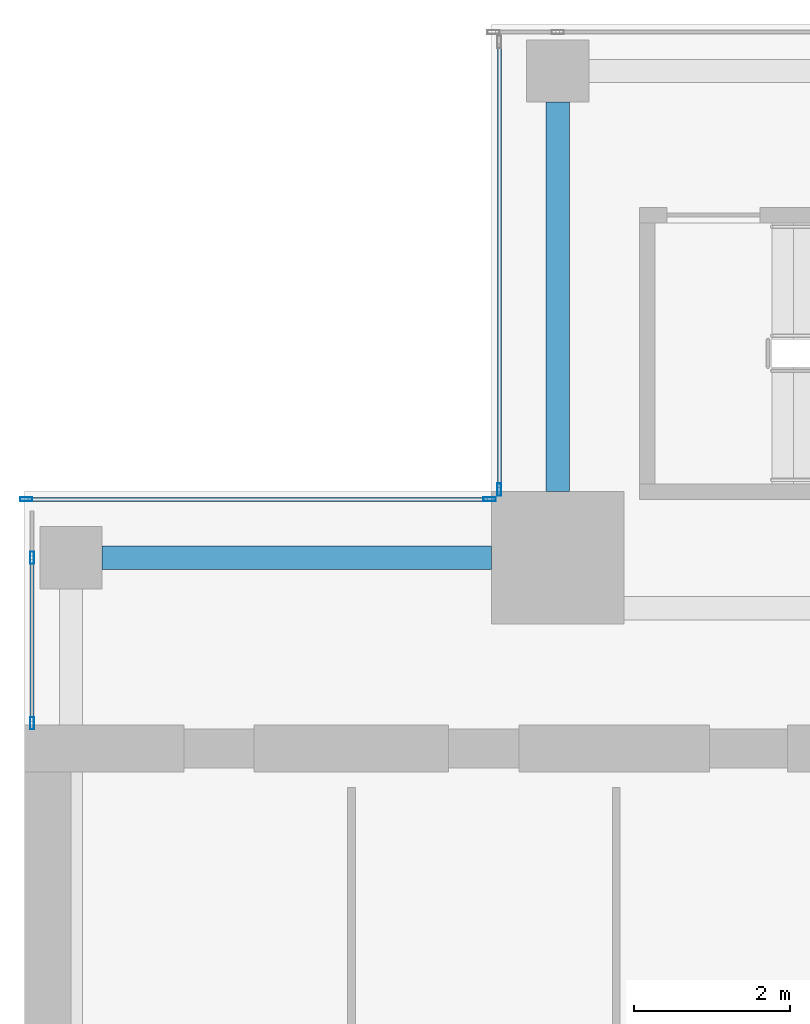
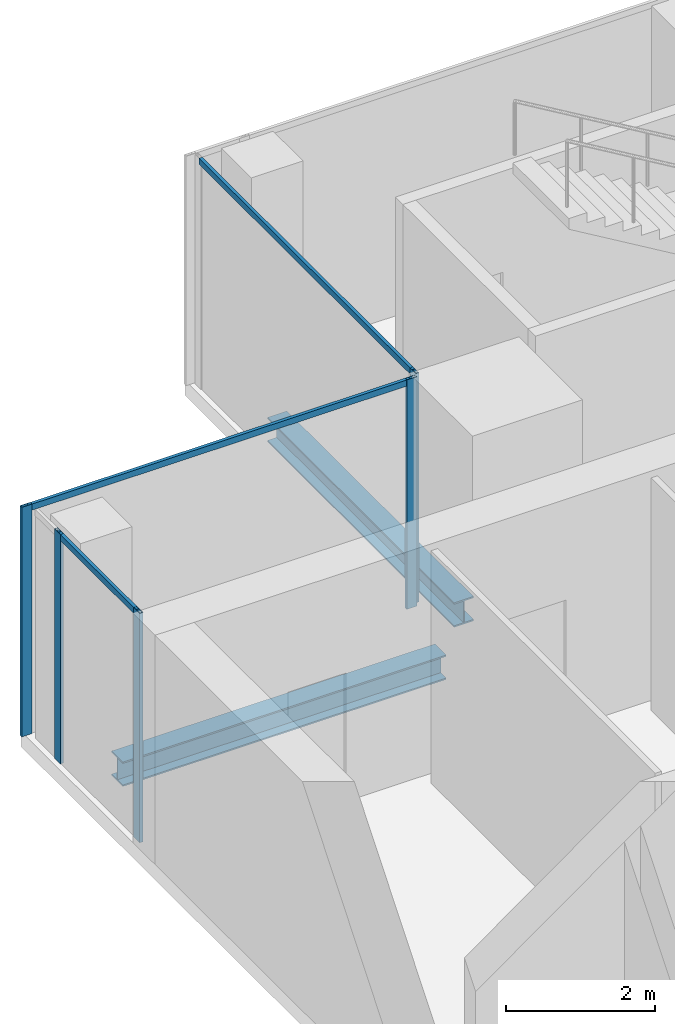
# One storey, part 14 of 29: 8 members, 2 beams, 3 elements without a shape of their own.
"""IFC4 building model written with IfcOpenShell, lengths in metres."""

import ifcopenshell
import ifcopenshell.guid

model = None  # the IFC model being written
_history = None  # IfcOwnerHistory: only IFC2X3 demands one
_inside = {}  # id of a spatial element -> (the spatial element, [elements in it])
_under = {}  # id of a project, library or spatial element -> (it, [spatial elements below it])
_declared = {}  # id of a project -> (the project, [libraries it declares])
_typed = {}  # id of a type object -> (the type object, [elements of that type])
_made_of = {}  # id of a material, layer set ... -> (it, [elements and type objects made of it])


def new_model(schema):
    """Start an empty IFC model of exactly this schema.

    Asked for "IFC4X3", IfcOpenShell would pick the latest addendum, in which some entities
    have other attributes; the version numbers below select the first issue.
    IFC2X3 requires an IfcOwnerHistory on every rooted entity: one is made here for all.
    """
    global model, _history
    if schema == "IFC4X3":
        model = ifcopenshell.file(schema_version=(4, 3, 0, 0))
    else:
        model = ifcopenshell.file(schema=schema)
    _inside.clear()
    _under.clear()
    _declared.clear()
    _typed.clear()
    _made_of.clear()
    _history = None
    if model.schema == "IFC2X3":
        org = make("IfcOrganization", Name="unknown")
        user = make(
            "IfcPersonAndOrganization",
            ThePerson=make("IfcPerson", FamilyName="unknown"),
            TheOrganization=org,
        )
        app = make(
            "IfcApplication",
            ApplicationDeveloper=org,
            Version="unknown",
            ApplicationFullName="unknown",
            ApplicationIdentifier="unknown",
        )
        _history = make(
            "IfcOwnerHistory",
            OwningUser=user,
            OwningApplication=app,
            ChangeAction="ADDED",
            CreationDate=0,
        )
    return model


def make(cls, **values):
    """One entity of the class cls with the attributes given. An attribute that is None is left unset."""
    return model.create_entity(
        cls, **{name: value for name, value in values.items() if value is not None}
    )


def rooted(cls, **values):
    """An entity with a GlobalId (a new one), such as an element, a storey or a relation."""
    return make(cls, GlobalId=ifcopenshell.guid.new(), OwnerHistory=_history, **values)


def si_unit(unit_type, name, prefix=None):
    """IfcSIUnit, for example si_unit("LENGTHUNIT", "METRE", prefix="MILLI")."""
    return make("IfcSIUnit", UnitType=unit_type, Prefix=prefix, Name=name)


def assignment(units):
    """IfcUnitAssignment: the units of a project."""
    return None if units is None else make("IfcUnitAssignment", Units=units)


def point(xyz):
    """IfcCartesianPoint."""
    return None if xyz is None else make("IfcCartesianPoint", Coordinates=xyz)


def direction(xyz):
    """IfcDirection."""
    return None if xyz is None else make("IfcDirection", DirectionRatios=xyz)


def frame(location, z_axis=None, x_axis=None):
    """IfcAxis2Placement3D, a coordinate frame: its origin and axes. An axis left out is left unset."""
    return make(
        "IfcAxis2Placement3D",
        Location=point(location),
        Axis=direction(z_axis),
        RefDirection=direction(x_axis),
    )


def frame_2d(location, x_axis=None):
    """IfcAxis2Placement2D, a coordinate frame in the plane: its origin and x axis."""
    return make(
        "IfcAxis2Placement2D", Location=point(location), RefDirection=direction(x_axis)
    )


def origin():
    """The frame at (0, 0, 0) with its axes left unset."""
    return frame((0.0, 0.0, 0.0))


def origin_2d():
    """The frame at (0, 0) in the plane with its x axis left unset."""
    return frame_2d((0.0, 0.0))


def place(relative_to, where):
    """IfcLocalPlacement: puts the frame where relative to a parent placement (None: the world)."""
    return make(
        "IfcLocalPlacement", PlacementRelTo=relative_to, RelativePlacement=where
    )


def context(
    kind, dimensions, precision=None, world=None, true_north=None, identifier=None
):
    """IfcGeometricRepresentationContext, for example the 3D "Model" context."""
    return make(
        "IfcGeometricRepresentationContext",
        ContextIdentifier=identifier,
        ContextType=kind,
        CoordinateSpaceDimension=dimensions,
        Precision=precision,
        WorldCoordinateSystem=world,
        TrueNorth=true_north,
    )


def subcontext(parent, identifier, kind, view, scale=None):
    """IfcGeometricRepresentationSubContext, for example "Body" below "Model"."""
    return make(
        "IfcGeometricRepresentationSubContext",
        ContextIdentifier=identifier,
        ContextType=kind,
        ParentContext=parent,
        TargetScale=scale,
        TargetView=view,
    )


def project(units=None, contexts=None):
    """IfcProject with its units and contexts."""
    return rooted(
        "IfcProject",
        Name="project",
        RepresentationContexts=contexts,
        UnitsInContext=assignment(units),
    )


def spatial(cls, under=None, at=None, **own):
    """A site, building, storey or space (cls), placed at a placement, below another one or the project."""
    s = rooted(cls, ObjectPlacement=at, **own)
    if under is not None:
        _under.setdefault(under.id(), (under, []))[1].append(s)
    return s


def profile(cls, at=None, kind="AREA", **sizes):
    """A parametric profile (cls). Its sizes go by their IFC names, for example OverallWidth=200.0."""
    return make(cls, ProfileType=kind, Position=at, **sizes)


def hollow_rectangle(**sizes):
    """IfcRectangleHollowProfileDef."""
    return profile("IfcRectangleHollowProfileDef", **sizes)


def i_section(**sizes):
    """IfcIShapeProfileDef."""
    return profile("IfcIShapeProfileDef", **sizes)


def extrude(swept, where, along, depth):
    """IfcExtrudedAreaSolid: the profile swept, set in the frame where, extruded along a direction by depth."""
    return make(
        "IfcExtrudedAreaSolid",
        SweptArea=swept,
        Position=where,
        ExtrudedDirection=direction(along),
        Depth=depth,
    )


def shape(context_of_items, identifier, shape_type, items):
    """IfcShapeRepresentation: the items that make up one representation, for example the "Body"."""
    return make(
        "IfcShapeRepresentation",
        ContextOfItems=context_of_items,
        RepresentationIdentifier=identifier,
        RepresentationType=shape_type,
        Items=items,
    )


def source(mapping_origin, context_of_items, identifier, shape_type, items):
    """IfcRepresentationMap: a shape defined once, which mapped items show again and again."""
    return make(
        "IfcRepresentationMap",
        MappingOrigin=mapping_origin,
        MappedRepresentation=shape(context_of_items, identifier, shape_type, items),
    )


def transform(
    local_origin,
    x_axis=None,
    y_axis=None,
    z_axis=None,
    scale=None,
    scale2=None,
    scale3=None,
    uniform=True,
):
    """IfcCartesianTransformationOperator3D, or its non-uniform kind. x_axis, y_axis, z_axis: its Axis1, 2, 3."""
    if uniform:
        return make(
            "IfcCartesianTransformationOperator3D",
            Axis1=direction(x_axis),
            Axis2=direction(y_axis),
            LocalOrigin=point(local_origin),
            Scale=scale,
            Axis3=direction(z_axis),
        )
    return make(
        "IfcCartesianTransformationOperator3DnonUniform",
        Axis1=direction(x_axis),
        Axis2=direction(y_axis),
        LocalOrigin=point(local_origin),
        Scale=scale,
        Axis3=direction(z_axis),
        Scale2=scale2,
        Scale3=scale3,
    )


def mapped(mapping_source, mapping_target):
    """IfcMappedItem: shows the shape of a source again, moved by a transform."""
    return make(
        "IfcMappedItem", MappingSource=mapping_source, MappingTarget=mapping_target
    )


def material(Name=None, Category=None):
    """IfcMaterial."""
    return make("IfcMaterial", Name=Name, Category=Category)


def material_profile(
    of_material, cross_section, Name=None, Category=None, Priority=None
):
    """IfcMaterialProfile: a cross section and its material."""
    return make(
        "IfcMaterialProfile",
        Name=Name,
        Material=of_material,
        Profile=cross_section,
        Priority=Priority,
        Category=Category,
    )


def profile_set(profiles, Name=None, composite=None):
    """IfcMaterialProfileSet."""
    return make(
        "IfcMaterialProfileSet",
        Name=Name,
        MaterialProfiles=profiles,
        CompositeProfile=composite,
    )


def made_of(thing, what):
    """Note that an element or type object is made of a material, layer set ...; save() writes the relation."""
    if what is not None:
        _made_of.setdefault(what.id(), (what, []))[1].append(thing)
    return thing


def type_object(cls, material=None, **own):
    """A type object (cls), such as IfcWallType, which elements share."""
    return made_of(rooted(cls, **own), material)


def element(
    cls,
    number,
    at=None,
    inside=None,
    cuts=None,
    type_object=None,
    material=None,
    context=None,
    identifier="Body",
    shape_type=None,
    held_by="IfcProductDefinitionShape",
    body=None,
    shapes=None,
    **own,
):
    """One element of the class cls, such as IfcWall. Its Tag is "e" and its number.

    at: its placement. inside: the storey or other place that contains it. cuts: it is an
    opening in that element (IfcRelVoidsElement). A single representation is given by context,
    identifier, shape_type and body (its items); several are given by shapes. held_by: the class
    of the entity that holds the representations. save() writes the other relations.
    """
    e = rooted(cls, Tag="e%d" % number, ObjectPlacement=at, **own)
    if body is not None:
        shapes = [shape(context, identifier, shape_type, body)]
    if shapes is not None:
        e.Representation = make(held_by, Representations=shapes)
    if inside is not None:
        _inside.setdefault(inside.id(), (inside, []))[1].append(e)
    if cuts is not None:
        rooted(
            "IfcRelVoidsElement", RelatingBuildingElement=cuts, RelatedOpeningElement=e
        )
    if type_object is not None:
        _typed.setdefault(type_object.id(), (type_object, []))[1].append(e)
    return made_of(e, material)


def aggregate(whole, parts):
    """IfcRelAggregates: a whole, such as a stair, and the parts it consists of."""
    return rooted("IfcRelAggregates", RelatingObject=whole, RelatedObjects=parts)


def save(model, path):
    """Write the relations noted so far, then the file.

    IfcRelAggregates (storeys below a building ...), IfcRelContainedInSpatialStructure (elements
    in a storey), IfcRelDefinesByType, IfcRelAssociatesMaterial and IfcRelDeclares: one each for
    every whole, place, type object, material and project.
    """
    for whole, parts in _under.values():
        aggregate(whole, parts)
    for where, things in _inside.values():
        rooted(
            "IfcRelContainedInSpatialStructure",
            RelatedElements=things,
            RelatingStructure=where,
        )
    for kind, things in _typed.values():
        rooted("IfcRelDefinesByType", RelatedObjects=things, RelatingType=kind)
    for what, things in _made_of.values():
        rooted("IfcRelAssociatesMaterial", RelatedObjects=things, RelatingMaterial=what)
    for by, libraries in _declared.values():
        rooted("IfcRelDeclares", RelatingContext=by, RelatedDefinitions=libraries)
    model.write(path)


model = new_model("IFC4")

# Units and contexts
model_context = context("Model", 3, precision=1e-05, world=origin(), true_north=direction((0.0, 1.0)))
body_context = subcontext(model_context, "Body", "Model", "MODEL_VIEW")
ifc_project = project(units=[si_unit("LENGTHUNIT", "METRE"), si_unit("AREAUNIT", "SQUARE_METRE"), si_unit("VOLUMEUNIT", "CUBIC_METRE"), si_unit("PLANEANGLEUNIT", "RADIAN"), si_unit("MASSUNIT", "GRAM", prefix="KILO")], contexts=[model_context])

# Site, building, storey
site_placement = place(None, origin())
site = spatial("IfcSite", under=ifc_project, at=site_placement, CompositionType="ELEMENT")
building_placement = place(site_placement, origin())
building = spatial("IfcBuilding", under=site, at=building_placement, Name="Khomas Fold Tower", CompositionType="ELEMENT")
storey_placement = place(building_placement, frame((0.0, 0.0, 322.199951171875)))
storey = spatial("IfcBuildingStorey", under=building, at=storey_placement, Name="L73", CompositionType="ELEMENT", Elevation=322.199951171875)

# Beams
ifc_material_1 = material(Name="Steel S355", Category="steel")
ifc_material_profile_1 = material_profile(ifc_material_1, i_section(OverallWidth=0.300048828125, OverallDepth=0.39990234375, WebThickness=0.013427734375, FlangeThickness=0.02392578125, at=origin_2d()), Name="HE 400 B")
ifc_profile_set_1 = profile_set([ifc_material_profile_1], Name="Steel S355")
beam_type = type_object("IfcBeamType", Name="HE 400 B spandrel SB5", PredefinedType="SPANDREL", material=ifc_profile_set_1)
shared_shape_1 = source(origin(), body_context, "Body", "SweptSolid", [
    extrude(i_section(OverallWidth=0.300048828125, OverallDepth=0.39990234375, WebThickness=0.013427734375, FlangeThickness=0.02392578125, at=origin_2d()), origin(), (0.0, 0.0, 1.0), 5.0),
])
for number, where, z_axis, x_axis, name in (
    (1, (12.85009765625, 42.0, -0.449951171875), (0.0, 1.0, 0.0), (-1.0, 0.0, 0.0), "SB5"),
    (2, (7.0, 41.14990234375, -0.449951171875), (1.0, 0.0, 0.0), (0.0, 1.0, 0.0), "SB5"),
):
    element("IfcBeam", number, at=place(storey_placement, frame(where, z_axis=z_axis, x_axis=x_axis)), inside=storey, type_object=beam_type, Name=name, PredefinedType="SPANDREL", context=body_context, shape_type="MappedRepresentation", body=[
        mapped(shared_shape_1, transform((0.0, 0.0, 0.0))),
    ])

# Curtain wall, member
ifc_material_2 = material(Name="Aluminium framed double glazing", Category="aluminium")
curtain_wall_type = type_object("IfcCurtainWallType", Name="SK-Unitised clear-glass wall, upper floors CW3", PredefinedType="NOTDEFINED", material=ifc_material_2)
curtain_wall_1_placement = place(storey_placement, origin())
curtain_wall_1 = element("IfcCurtainWall", 3, at=curtain_wall_1_placement, inside=storey, type_object=curtain_wall_type, Name="CW3 corner return L73 07", PredefinedType="NOTDEFINED")
ifc_material_3 = material(Name="Aluminium", Category="aluminium")
ifc_material_profile_2 = material_profile(ifc_material_3, hollow_rectangle(XDim=0.050048828125, YDim=0.159912109375, WallThickness=0.00390625, at=origin_2d()), Name="SK-Unitised clear-glass wall, upper floors mullion CW3-M")
ifc_profile_set_2 = profile_set([ifc_material_profile_2], Name="Aluminium")
member_type_1 = type_object("IfcMemberType", Name="SK-Unitised clear-glass wall, upper floors mullion CW3-M", PredefinedType="MULLION", material=ifc_profile_set_2)
shared_shape_2 = source(origin(), body_context, "Body", "SweptSolid", [
    extrude(hollow_rectangle(XDim=0.050048828125, YDim=0.159912109375, WallThickness=0.00390625, at=origin_2d()), origin(), (0.0, 0.0, 1.0), 3.75),
])
member_1_placement = place(storey_placement, frame((12.10009765625, 42.02490234375, 0.0), z_axis=(0.0, 0.0, 1.0), x_axis=(1.0, 0.0, 0.0)))
member_1 = element("IfcMember", 4, at=member_1_placement, type_object=member_type_1, Name="CW3 mullion 2", PredefinedType="MULLION", context=body_context, shape_type="MappedRepresentation", body=[
    mapped(shared_shape_2, transform((0.0, 0.0, 0.0))),
])

# Curtain wall, members
curtain_wall_2_placement = place(storey_placement, origin())
curtain_wall_2 = element("IfcCurtainWall", 5, at=curtain_wall_2_placement, inside=storey, type_object=curtain_wall_type, Name="CW3 corner return L73 08", PredefinedType="NOTDEFINED")
member_2_placement = place(storey_placement, frame((11.97509765625, 41.89990234375, 0.0), z_axis=(0.0, 0.0, 1.0), x_axis=(0.0, -1.0, 0.0)))
member_2 = element("IfcMember", 6, at=member_2_placement, type_object=member_type_1, Name="CW3 mullion 1", PredefinedType="MULLION", context=body_context, shape_type="MappedRepresentation", body=[
    mapped(shared_shape_2, transform((0.0, 0.0, 0.0))),
])
member_3_placement = place(storey_placement, frame((6.02490234375, 41.89990234375, 0.0), z_axis=(0.0, 0.0, 1.0), x_axis=(0.0, -1.0, 0.0)))
member_3 = element("IfcMember", 7, at=member_3_placement, type_object=member_type_1, Name="CW3 mullion 2", PredefinedType="MULLION", context=body_context, shape_type="MappedRepresentation", body=[
    mapped(shared_shape_2, transform((0.0, 0.0, 0.0))),
])

curtain_wall_3_placement = place(storey_placement, origin())
curtain_wall_3 = element("IfcCurtainWall", 8, at=curtain_wall_3_placement, inside=storey, type_object=curtain_wall_type, Name="CW3 run L73 09-0", PredefinedType="NOTDEFINED")
member_4_placement = place(storey_placement, frame((6.10009765625, 41.14990234375, 0.0), z_axis=(0.0, 0.0, 1.0), x_axis=(1.0, 0.0, 0.0)))
member_4 = element("IfcMember", 9, at=member_4_placement, type_object=member_type_1, Name="CW3 mullion 2", PredefinedType="MULLION", context=body_context, shape_type="MappedRepresentation", body=[
    mapped(shared_shape_2, transform((0.0, 0.0, 0.0))),
])
member_5_placement = place(storey_placement, frame((6.10009765625, 39.02490234375, 0.0), z_axis=(0.0, 0.0, 1.0), x_axis=(1.0, 0.0, 0.0)))
member_5 = element("IfcMember", 10, at=member_5_placement, type_object=member_type_1, Name="CW3 mullion 3", PredefinedType="MULLION", context=body_context, shape_type="MappedRepresentation", body=[
    mapped(shared_shape_2, transform((0.0, 0.0, 0.0))),
])

# Member
ifc_material_4 = material(Name="Aluminium", Category="aluminium")
ifc_material_profile_3 = material_profile(ifc_material_4, hollow_rectangle(XDim=0.050048828125, YDim=0.10009765625, WallThickness=0.00390625, at=origin_2d()), Name="SK-Unitised clear-glass wall, upper floors transom CW3-T")
ifc_profile_set_3 = profile_set([ifc_material_profile_3], Name="Aluminium")
member_type_2 = type_object("IfcMemberType", Name="SK-Unitised clear-glass wall, upper floors transom CW3-T", PredefinedType="USERDEFINED", material=ifc_profile_set_3)
shared_shape_3 = source(origin(), body_context, "Body", "SweptSolid", [
    extrude(hollow_rectangle(XDim=0.050048828125, YDim=0.10009765625, WallThickness=0.00390625, at=origin_2d()), origin(), (0.0, 0.0, 1.0), 5.699951171875),
])
member_6_placement = place(storey_placement, frame((12.10009765625, 47.75, 3.699951171875), z_axis=(0.0, -1.0, 0.0), x_axis=(1.0, 0.0, 0.0)))
member_6 = element("IfcMember", 11, at=member_6_placement, type_object=member_type_2, Name="CW3 transom 1", ObjectType="TRANSOM", PredefinedType="USERDEFINED", context=body_context, shape_type="MappedRepresentation", body=[
    mapped(shared_shape_3, transform((0.0, 0.0, 0.0))),
])

aggregate(curtain_wall_1, [member_1, member_6])

shared_shape_4 = source(origin(), body_context, "Body", "SweptSolid", [
    extrude(hollow_rectangle(XDim=0.050048828125, YDim=0.10009765625, WallThickness=0.00390625, at=origin_2d()), origin(), (0.0, 0.0, 1.0), 5.89990234375),
])
member_7_placement = place(storey_placement, frame((11.949951171875, 41.89990234375, 3.699951171875), z_axis=(-1.0, 0.0, 0.0), x_axis=(0.0, -1.0, 0.0)))
member_7 = element("IfcMember", 12, at=member_7_placement, type_object=member_type_2, Name="CW3 transom 1", ObjectType="TRANSOM", PredefinedType="USERDEFINED", context=body_context, shape_type="MappedRepresentation", body=[
    mapped(shared_shape_4, transform((0.0, 0.0, 0.0))),
])

aggregate(curtain_wall_2, [member_2, member_3, member_7])

shared_shape_5 = source(origin(), body_context, "Body", "SweptSolid", [
    extrude(hollow_rectangle(XDim=0.050048828125, YDim=0.10009765625, WallThickness=0.00390625, at=origin_2d()), origin(), (0.0, 0.0, 1.0), 2.074951171875),
])
member_8_placement = place(storey_placement, frame((6.10009765625, 41.125, 3.699951171875), z_axis=(0.0, -1.0, 0.0), x_axis=(1.0, 0.0, 0.0)))
member_8 = element("IfcMember", 13, at=member_8_placement, type_object=member_type_2, Name="CW3 transom 2", ObjectType="TRANSOM", PredefinedType="USERDEFINED", context=body_context, shape_type="MappedRepresentation", body=[
    mapped(shared_shape_5, transform((0.0, 0.0, 0.0))),
])

aggregate(curtain_wall_3, [member_4, member_5, member_8])

save(model, "model.ifc")
